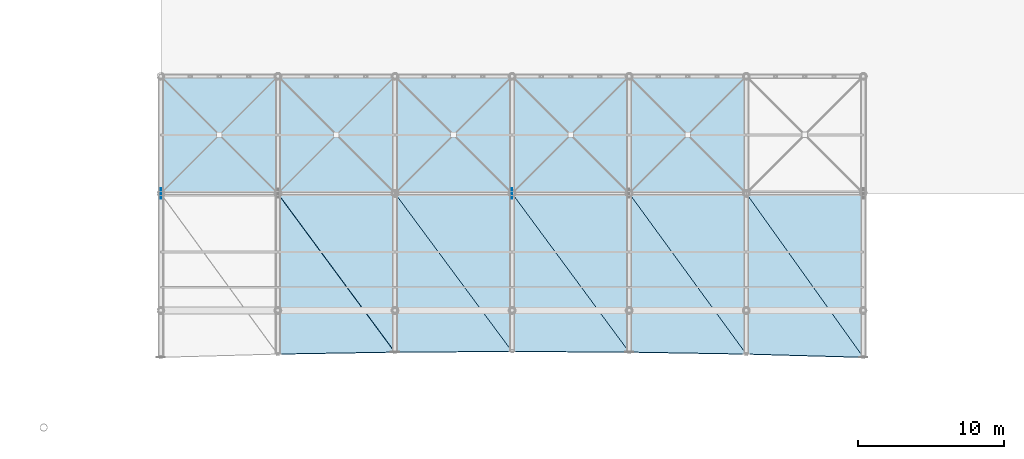
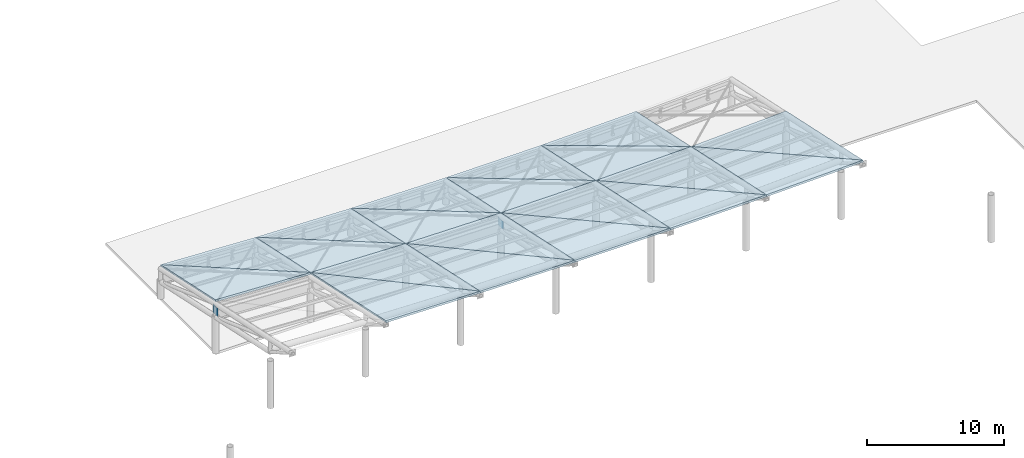
# One storey, part 31 of 54: 20 slabs, 2 plates.
"""IFC4 building model written with IfcOpenShell, lengths in metres."""

from ifc_helpers import new_model, si_unit, direction, frame, origin, origin_2d, place, context, subcontext, project, spatial, polyline, rectangle, outline, extrude, material, layer, layer_set, type_object, element, save


model = new_model("IFC4")

# Units and contexts
model_context = context("Model", 3, precision=1e-05, world=origin(), true_north=direction((0.0, 1.0)))
body_context = subcontext(model_context, "Body", "Model", "MODEL_VIEW")
ifc_project = project(units=[si_unit("LENGTHUNIT", "METRE"), si_unit("AREAUNIT", "SQUARE_METRE"), si_unit("VOLUMEUNIT", "CUBIC_METRE"), si_unit("PLANEANGLEUNIT", "RADIAN"), si_unit("MASSUNIT", "GRAM", prefix="KILO")], contexts=[model_context])

# Site, building, storey
site_placement = place(None, origin())
site = spatial("IfcSite", under=ifc_project, at=site_placement, CompositionType="ELEMENT")
building_placement = place(site_placement, origin())
building = spatial("IfcBuilding", under=site, at=building_placement, Name="Haebicheon Civic Stadium", CompositionType="ELEMENT")
storey_placement = place(building_placement, frame((0.0, 0.0, 22.800048828125)))
storey = spatial("IfcBuildingStorey", under=building, at=storey_placement, Name="L06", CompositionType="ELEMENT", Elevation=22.800048828125)

# Plates
ifc_material_1 = material(Name="White painted steel SM490", Category="steel")
ifc_layer_1 = layer(ifc_material_1, 0.031982421875, Name="White painted steel SM490")
ifc_layer_set_1 = layer_set([ifc_layer_1], Name="White painted steel SM490")
plate_type = type_object("IfcPlateType", Name="PLT-GUS-32", PredefinedType="USERDEFINED", material=ifc_layer_set_1)
for number, where, z_axis, x_axis, name in (
    (1, (80.0, 152.0, 3.3720703125), (0.0, 0.0, 1.0), (0.0, 1.0, 0.0), "CAN-NORTH heel node gusset plate KN-H01"),
    (2, (104.0, 152.0, 2.7119140625), (0.0, 0.0, 1.0), (0.0, 1.0, 0.0), "CAN-NORTH heel node gusset plate KN-H04"),
):
    element("IfcPlate", number, at=place(storey_placement, frame(where, z_axis=z_axis, x_axis=x_axis)), inside=storey, type_object=plate_type, material=ifc_layer_set_1, Name=name, ObjectType="GUSSET PLATE", PredefinedType="USERDEFINED", context=body_context, shape_type="SweptSolid", body=[
        extrude(rectangle(XDim=0.719970703125, YDim=0.031982421875, at=origin_2d()), origin(), (0.0, 0.0, 1.0), 0.719970703125),
    ])

# Slabs
ifc_material_2 = material(Name="White painted steel SM490", Category="steel")
ifc_layer_2 = layer(ifc_material_2, 0.159912109375, Name="White painted steel SM490")
ifc_layer_set_2 = layer_set([ifc_layer_2], Name="White painted steel SM490")
slab_type = type_object("IfcSlabType", Name="SLB-CAN-160", PredefinedType="ROOF", material=ifc_layer_set_2)
slab_1_placement = place(storey_placement, frame((80.0, 160.0, 2.93994140625), z_axis=(0.04479820364, 0.209982265232, 0.97667833458), x_axis=(0.0, -0.977659849808, 0.210193287411)))
element("IfcSlab", 3, at=slab_1_placement, inside=storey, type_object=slab_type, material=ifc_layer_set_2, Name="CAN-NORTH curled canopy facet 1.BS-A", PredefinedType="ROOF", context=body_context, shape_type="SweptSolid", body=[
    extrude(outline(polyline([(0.0, 0.0), (8.182805094807545, 0.0), (8.105676063806701, 8.008039619130656), (0.0, 0.0)])), origin(), (0.0, 0.0, -1.0), 0.159912109375),
])
slab_2_placement = place(storey_placement, frame((80.0, 160.0, 2.93994140625), z_axis=(0.04479820364, 0.209982265232, 0.97667833458), x_axis=(0.702103787927, -0.702103787927, 0.118745702902)))
element("IfcSlab", 4, at=slab_2_placement, inside=storey, type_object=slab_type, material=ifc_layer_set_2, Name="CAN-NORTH curled canopy facet 1.BS-B", PredefinedType="ROOF", context=body_context, shape_type="SweptSolid", body=[
    extrude(outline(polyline([(0.0, 0.0), (11.394326789807952, -3.885780586188048e-16), (5.573257356280237, 5.750952083756013), (0.0, 0.0)])), origin(), (0.0, 0.0, -1.0), 0.159912109375),
])
slab_3_placement = place(storey_placement, frame((88.0, 160.0, 2.572998046875), z_axis=(0.026872357732, 0.210117380938, 0.977306790429), x_axis=(0.0, -0.977659849808, 0.210193287411)))
element("IfcSlab", 5, at=slab_3_placement, inside=storey, type_object=slab_type, material=ifc_layer_set_2, Name="CAN-NORTH curled canopy facet 2.BS-A", PredefinedType="ROOF", context=body_context, shape_type="SweptSolid", body=[
    extrude(outline(polyline([(0.0, 0.0), (8.182805094807545, 0.0), (8.136568729583486, 8.002890059769918), (0.0, 0.0)])), origin(), (0.0, 0.0, -1.0), 0.159912109375),
])
slab_4_placement = place(storey_placement, frame((88.0, 160.0, 2.572998046875), z_axis=(0.026872357732, 0.210117380938, 0.977306790429), x_axis=(0.700972726941, -0.700972726941, 0.131432386301)))
element("IfcSlab", 6, at=slab_4_placement, inside=storey, type_object=slab_type, material=ifc_layer_set_2, Name="CAN-NORTH curled canopy facet 2.BS-B", PredefinedType="ROOF", context=body_context, shape_type="SweptSolid", body=[
    extrude(outline(polyline([(0.0, 0.0), (11.412712210513327, -6.106226635438361e-16), (5.578870541102404, 5.737995346447492), (0.0, 0.0)])), origin(), (0.0, 0.0, -1.0), 0.159912109375),
])
slab_5_placement = place(storey_placement, frame((88.0, 152.0, 4.29296875), z_axis=(0.026872116735, 0.210085694618, 0.97731360896), x_axis=(0.0, -0.977666664467, 0.210161588283)))
element("IfcSlab", 7, at=slab_5_placement, inside=storey, type_object=slab_type, material=ifc_layer_set_2, Name="CAN-NORTH curled canopy facet 2.CT-A", PredefinedType="ROOF", context=body_context, shape_type="SweptSolid", body=[
    extrude(outline(polyline([(0.0, 0.0), (11.22880399091171, 0.0), (11.045480344121431, 8.002890007904712), (0.0, 0.0)])), origin(), (0.0, 0.0, -1.0), 0.159912109375),
])
slab_6_placement = place(storey_placement, frame((88.0, 152.0, 4.29296875), z_axis=(0.026872543123, 0.210085994354, 0.977313532804), x_axis=(0.586511391701, -0.795015761877, 0.154771850709)))
element("IfcSlab", 8, at=slab_6_placement, inside=storey, type_object=slab_type, material=ifc_layer_set_2, Name="CAN-NORTH curled canopy facet 2.CT-B", PredefinedType="ROOF", context=body_context, shape_type="SweptSolid", body=[
    extrude(outline(polyline([(0.0, 0.0), (13.639973772371924, -1.6653345369377348e-16), (4.658045860784129, 6.507764275775911), (0.0, 0.0)])), origin(), (0.0, 0.0, -1.0), 0.159912109375),
])
slab_7_placement = place(storey_placement, frame((96.0, 160.0, 2.35302734375), z_axis=(0.00892055249, 0.210184924048, 0.977620949779), x_axis=(0.0, -0.977659849808, 0.210193287411)))
element("IfcSlab", 9, at=slab_7_placement, inside=storey, type_object=slab_type, material=ifc_layer_set_2, Name="CAN-NORTH curled canopy facet 3.BS-A", PredefinedType="ROOF", context=body_context, shape_type="SweptSolid", body=[
    extrude(outline(polyline([(0.0, 0.0), (8.182805094807545, -1.734723475976807e-18), (8.16746139536027, 8.00031832402529), (0.0, 0.0)])), origin(), (0.0, 0.0, -1.0), 0.159912109375),
])
slab_8_placement = place(storey_placement, frame((96.0, 160.0, 2.35302734375), z_axis=(0.00892055249, 0.210184924048, 0.977620949779), x_axis=(0.699731451547, -0.699731451547, 0.144054820927)))
element("IfcSlab", 10, at=slab_8_placement, inside=storey, type_object=slab_type, material=ifc_layer_set_2, Name="CAN-NORTH curled canopy facet 3.BS-B", PredefinedType="ROOF", context=body_context, shape_type="SweptSolid", body=[
    extrude(outline(polyline([(0.0, 0.0), (11.432957575817168, 0.0), (5.587335891804131, 5.725993917828144), (0.0, 0.0)])), origin(), (0.0, 0.0, -1.0), 0.159912109375),
])
slab_9_placement = place(storey_placement, frame((96.0, 152.0, 4.072998046875), z_axis=(0.008870098946, 0.210153622747, 0.977628137991), x_axis=(0.0, -0.977666599494, 0.210161890537)))
element("IfcSlab", 11, at=slab_9_placement, inside=storey, type_object=slab_type, material=ifc_layer_set_2, Name="CAN-NORTH curled canopy facet 3.CT-A", PredefinedType="ROOF", context=body_context, shape_type="SweptSolid", body=[
    extrude(outline(polyline([(0.0, 0.0), (11.091709736466468, 0.0), (11.031506029647808, 8.000314733193475), (0.0, 0.0)])), origin(), (0.0, 0.0, -1.0), 0.159912109375),
])
slab_10_placement = place(storey_placement, frame((96.0, 152.0, 4.072998046875), z_axis=(0.008920543912, 0.210189296582, 0.977620009768), x_axis=(0.587063414322, -0.792539192485, 0.165039922263)))
element("IfcSlab", 12, at=slab_10_placement, inside=storey, type_object=slab_type, material=ifc_layer_set_2, Name="CAN-NORTH curled canopy facet 3.CT-B", PredefinedType="ROOF", context=body_context, shape_type="SweptSolid", body=[
    extrude(outline(polyline([(0.0, 0.0), (13.627147944904262, 2.220446049250313e-16), (4.6844597225905344, 6.485458027177001), (0.0, 0.0)])), origin(), (0.0, 0.0, -1.0), 0.159912109375),
])
slab_11_placement = place(storey_placement, frame((104.0, 160.0, 2.280029296875), z_axis=(-0.00892055249, 0.210184924048, 0.977620949779), x_axis=(0.0, -0.977659849808, 0.210193287411)))
element("IfcSlab", 13, at=slab_11_placement, inside=storey, type_object=slab_type, material=ifc_layer_set_2, Name="CAN-NORTH curled canopy facet 4.BS-A", PredefinedType="ROOF", context=body_context, shape_type="SweptSolid", body=[
    extrude(outline(polyline([(0.0, 0.0), (8.182805094807545, 1.734723475976807e-18), (8.198148794254818, 8.00031832402529), (0.0, 0.0)])), origin(), (0.0, 0.0, -1.0), 0.159912109375),
])
slab_12_placement = place(storey_placement, frame((104.0, 160.0, 2.280029296875), z_axis=(-0.00892055249, 0.210184924048, 0.977620949779), x_axis=(0.698391073752, -0.698391073752, 0.156524171315)))
element("IfcSlab", 14, at=slab_12_placement, inside=storey, type_object=slab_type, material=ifc_layer_set_2, Name="CAN-NORTH curled canopy facet 4.BS-B", PredefinedType="ROOF", context=body_context, shape_type="SweptSolid", body=[
    extrude(outline(polyline([(0.0, 0.0), (11.45490012782637, -5.551115123125783e-17), (5.598554548814483, 5.715025431159186), (0.0, 0.0)])), origin(), (0.0, 0.0, -1.0), 0.159912109375),
])
slab_13_placement = place(storey_placement, frame((104.0, 152.0, 4.0), z_axis=(-0.00886982364, 0.21018939142, 0.977620450872), x_axis=(0.0, -0.977658909685, 0.210197660104)))
element("IfcSlab", 15, at=slab_13_placement, inside=storey, type_object=slab_type, material=ifc_layer_set_2, Name="CAN-NORTH curled canopy facet 4.CT-A", PredefinedType="ROOF", context=body_context, shape_type="SweptSolid", body=[
    extrude(outline(polyline([(0.0, 0.0), (11.046847444578171, 0.0), (11.107053747688093, 8.000314713655529), (0.0, 0.0)])), origin(), (0.0, 0.0, -1.0), 0.159912109375),
])
slab_14_placement = place(storey_placement, frame((104.0, 152.0, 4.0), z_axis=(-0.008920614072, 0.210153528307, 0.977627698659), x_axis=(0.584437417975, -0.79220449201, 0.175627296594)))
element("IfcSlab", 16, at=slab_14_placement, inside=storey, type_object=slab_type, material=ifc_layer_set_2, Name="CAN-NORTH curled canopy facet 4.CT-B", PredefinedType="ROOF", context=body_context, shape_type="SweptSolid", body=[
    extrude(outline(polyline([(0.0, 0.0), (13.688377495947622, -1.6653345369377348e-16), (4.688319793430064, 6.482668141234708), (0.0, 0.0)])), origin(), (0.0, 0.0, -1.0), 0.159912109375),
])
slab_15_placement = place(storey_placement, frame((112.0, 160.0, 2.35302734375), z_axis=(-0.026872357732, 0.210117380938, 0.977306790429), x_axis=(0.0, -0.977659849808, 0.210193287411)))
element("IfcSlab", 17, at=slab_15_placement, inside=storey, type_object=slab_type, material=ifc_layer_set_2, Name="CAN-NORTH curled canopy facet 5.BS-A", PredefinedType="ROOF", context=body_context, shape_type="SweptSolid", body=[
    extrude(outline(polyline([(0.0, 0.0), (8.182805094807545, 0.0), (8.229041460031603, 8.002890059769918), (0.0, 0.0)])), origin(), (0.0, 0.0, -1.0), 0.159912109375),
])
slab_16_placement = place(storey_placement, frame((112.0, 160.0, 2.35302734375), z_axis=(-0.026872357732, 0.210117380938, 0.977306790429), x_axis=(0.696935578316, -0.696935578316, 0.169001773233)))
element("IfcSlab", 18, at=slab_16_placement, inside=storey, type_object=slab_type, material=ifc_layer_set_2, Name="CAN-NORTH curled canopy facet 5.BS-B", PredefinedType="ROOF", context=body_context, shape_type="SweptSolid", body=[
    extrude(outline(polyline([(0.0, 0.0), (11.478822790673407, -3.3306690738754696e-16), (5.61266006541203, 5.70494821189135), (0.0, 0.0)])), origin(), (0.0, 0.0, -1.0), 0.159912109375),
])
slab_17_placement = place(storey_placement, frame((112.0, 152.0, 4.072998046875), z_axis=(-0.026872109659, 0.210085996803, 0.977313544196), x_axis=(0.0, -0.977666599494, 0.210161890537)))
element("IfcSlab", 19, at=slab_17_placement, inside=storey, type_object=slab_type, material=ifc_layer_set_2, Name="CAN-NORTH curled canopy facet 5.CT-A", PredefinedType="ROOF", context=body_context, shape_type="SweptSolid", body=[
    extrude(outline(polyline([(0.0, 0.0), (11.091709736466468, -6.938893903907228e-18), (11.275033449742606, 8.002890006381708), (0.0, 0.0)])), origin(), (0.0, 0.0, -1.0), 0.159912109375),
])
slab_18_placement = place(storey_placement, frame((112.0, 152.0, 4.072998046875), z_axis=(-0.026872544908, 0.210085692199, 0.977313597707), x_axis=(0.578598271779, -0.79398345608, 0.186585935605)))
element("IfcSlab", 20, at=slab_18_placement, inside=storey, type_object=slab_type, material=ifc_layer_set_2, Name="CAN-NORTH curled canopy facet 5.CT-B", PredefinedType="ROOF", context=body_context, shape_type="SweptSolid", body=[
    extrude(outline(polyline([(0.0, 0.0), (13.82651900324369, -4.440892098500626e-16), (4.66982961368232, 6.49931369372251), (0.0, 0.0)])), origin(), (0.0, 0.0, -1.0), 0.159912109375),
])
slab_19_placement = place(storey_placement, frame((120.0, 152.0, 4.29296875), z_axis=(-0.044846084243, 0.209950146444, 0.976683042105), x_axis=(0.0, -0.977666664467, 0.210161588283)))
element("IfcSlab", 21, at=slab_19_placement, inside=storey, type_object=slab_type, material=ifc_layer_set_2, Name="CAN-NORTH curled canopy facet 6.CT-A", PredefinedType="ROOF", context=body_context, shape_type="SweptSolid", body=[
    extrude(outline(polyline([(0.0, 0.0), (11.22880399091171, 0.0), (11.532996788295, 8.008056839890104), (0.0, 0.0)])), origin(), (0.0, 0.0, -1.0), 0.159912109375),
])
slab_20_placement = place(storey_placement, frame((120.0, 152.0, 4.29296875), z_axis=(-0.044798195028, 0.209983140321, 0.976678146834), x_axis=(0.569775438713, -0.797682136565, 0.197633900037)))
element("IfcSlab", 22, at=slab_20_placement, inside=storey, type_object=slab_type, material=ifc_layer_set_2, Name="CAN-NORTH curled canopy facet 6.CT-B", PredefinedType="ROOF", context=body_context, shape_type="SweptSolid", body=[
    extrude(outline(polyline([(0.0, 0.0), (14.040619262330756, -4.440892098500626e-16), (4.630723956911862, 6.533838310202662), (0.0, 0.0)])), origin(), (0.0, 0.0, -1.0), 0.159912109375),
])

save(model, "model.ifc")
